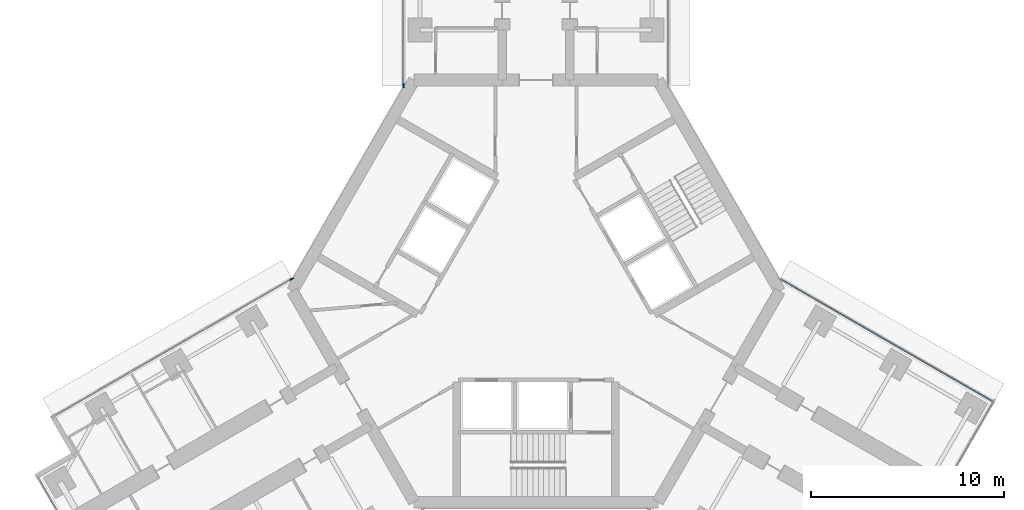
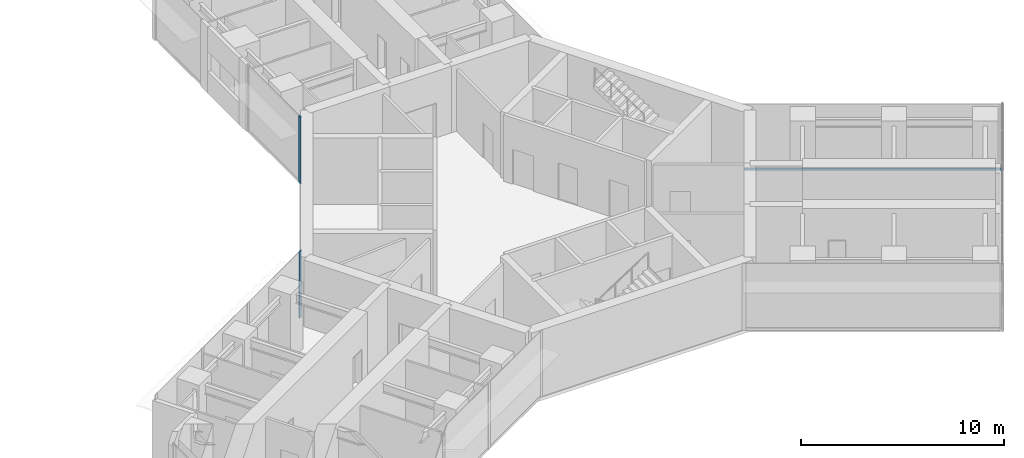
# One storey, part 9 of 23: 3 members, 3 elements without a shape of their own.
"""IFC4 building model written with IfcOpenShell, lengths in metres."""

from ifc_helpers import new_model, si_unit, direction, frame, origin, origin_2d, place, context, subcontext, project, spatial, rectangle, extrude, material, material_profile, profile_set, type_object, element, aggregate, save


model = new_model("IFC4")

# Units and contexts
model_context = context("Model", 3, precision=1e-05, world=origin(), true_north=direction((0.0, 1.0)))
body_context = subcontext(model_context, "Body", "Model", "MODEL_VIEW")
ifc_project = project(units=[si_unit("LENGTHUNIT", "METRE"), si_unit("AREAUNIT", "SQUARE_METRE"), si_unit("VOLUMEUNIT", "CUBIC_METRE"), si_unit("PLANEANGLEUNIT", "RADIAN"), si_unit("MASSUNIT", "GRAM", prefix="KILO")], contexts=[model_context])

# Site, building, storey
site_placement = place(None, origin())
site = spatial("IfcSite", under=ifc_project, at=site_placement, CompositionType="ELEMENT")
building_placement = place(site_placement, origin())
building = spatial("IfcBuilding", under=site, at=building_placement, Name="Upepo Twin Towers", CompositionType="ELEMENT")
storey_placement = place(building_placement, frame((0.0, 0.0, 161.5)))
storey = spatial("IfcBuildingStorey", under=building, at=storey_placement, Name="L39", CompositionType="ELEMENT", Elevation=161.5)

# Curtain wall, member
ifc_material_1 = material(Name="Aluminium and fritted glass", Category="aluminium")
curtain_wall_type = type_object("IfcCurtainWallType", Name="Tower curtain wall TW2, fritted glass", PredefinedType="NOTDEFINED", material=ifc_material_1)
curtain_wall_1_placement = place(storey_placement, origin())
curtain_wall_1 = element("IfcCurtainWall", 1, at=curtain_wall_1_placement, inside=storey, type_object=curtain_wall_type, Name="T2 L39 wing A flank L curtain wall", PredefinedType="NOTDEFINED")
ifc_material_2 = material(Name="Aluminium mullion", Category="aluminium")
ifc_material_profile_1 = material_profile(ifc_material_2, rectangle(XDim=0.06494140625, YDim=0.199951171875, at=origin_2d()), Name="MULLION 65x200")
ifc_profile_set_1 = profile_set([ifc_material_profile_1], Name="Aluminium mullion")
member_type_1 = type_object("IfcMemberType", Name="Mullion 65x200 TW2", PredefinedType="MULLION", material=ifc_profile_set_1)
member_1_placement = place(storey_placement, frame((51.64990234375, -7.38037109375, 0.0), z_axis=(0.0, 0.0, 1.0), x_axis=(-1.0, 0.0, 0.0)))
member_1 = element("IfcMember", 2, at=member_1_placement, type_object=member_type_1, Name="T2 L39 wing A flank L curtain wall mullion 1", PredefinedType="MULLION", context=body_context, shape_type="SweptSolid", body=[
    extrude(rectangle(XDim=0.06494140625, YDim=0.199951171875, at=origin_2d()), origin(), (0.0, 0.0, 1.0), 4.0),
])
aggregate(curtain_wall_1, [member_1])

curtain_wall_2_placement = place(storey_placement, origin())
curtain_wall_2 = element("IfcCurtainWall", 3, at=curtain_wall_2_placement, inside=storey, type_object=curtain_wall_type, Name="T2 L39 wing B flank R curtain wall", PredefinedType="NOTDEFINED")
member_2_placement = place(storey_placement, frame((45.878173828125, -17.37744140625, 0.0), z_axis=(0.0, 0.0, 1.0), x_axis=(-0.500000010308, 0.866025397833, 0.0)))
member_2 = element("IfcMember", 4, at=member_2_placement, type_object=member_type_1, Name="T2 L39 wing B flank R curtain wall mullion 4", PredefinedType="MULLION", context=body_context, shape_type="SweptSolid", body=[
    extrude(rectangle(XDim=0.06494140625, YDim=0.199951171875, at=origin_2d()), origin(), (0.0, 0.0, 1.0), 4.0),
])
aggregate(curtain_wall_2, [member_2])

curtain_wall_3_placement = place(storey_placement, origin())
curtain_wall_3 = element("IfcCurtainWall", 5, at=curtain_wall_3_placement, inside=storey, type_object=curtain_wall_type, Name="T2 L39 wing C flank L curtain wall", PredefinedType="NOTDEFINED")
ifc_material_3 = material(Name="Aluminium transom", Category="aluminium")
ifc_material_profile_2 = material_profile(ifc_material_3, rectangle(XDim=0.06494140625, YDim=0.14990234375, at=origin_2d()), Name="TRANSOM 65x150")
ifc_profile_set_2 = profile_set([ifc_material_profile_2], Name="Aluminium transom")
member_type_2 = type_object("IfcMemberType", Name="Transom 65x150 TW2", PredefinedType="USERDEFINED", material=ifc_profile_set_2)
member_3_placement = place(storey_placement, frame((71.14990234375, -17.393798828125, 0.074951171875), z_axis=(0.866027247007, -0.499996807431, 0.0), x_axis=(0.499996807431, 0.866027247007, 0.0)))
member_3 = element("IfcMember", 6, at=member_3_placement, type_object=member_type_2, Name="T2 L39 wing C flank L curtain wall transom 1", ObjectType="TRANSOM", PredefinedType="USERDEFINED", context=body_context, shape_type="SweptSolid", body=[
    extrude(rectangle(XDim=0.06494140625, YDim=0.14990234375, at=origin_2d()), origin(), (0.0, 0.0, 1.0), 12.6328125),
])
aggregate(curtain_wall_3, [member_3])

save(model, "model.ifc")
